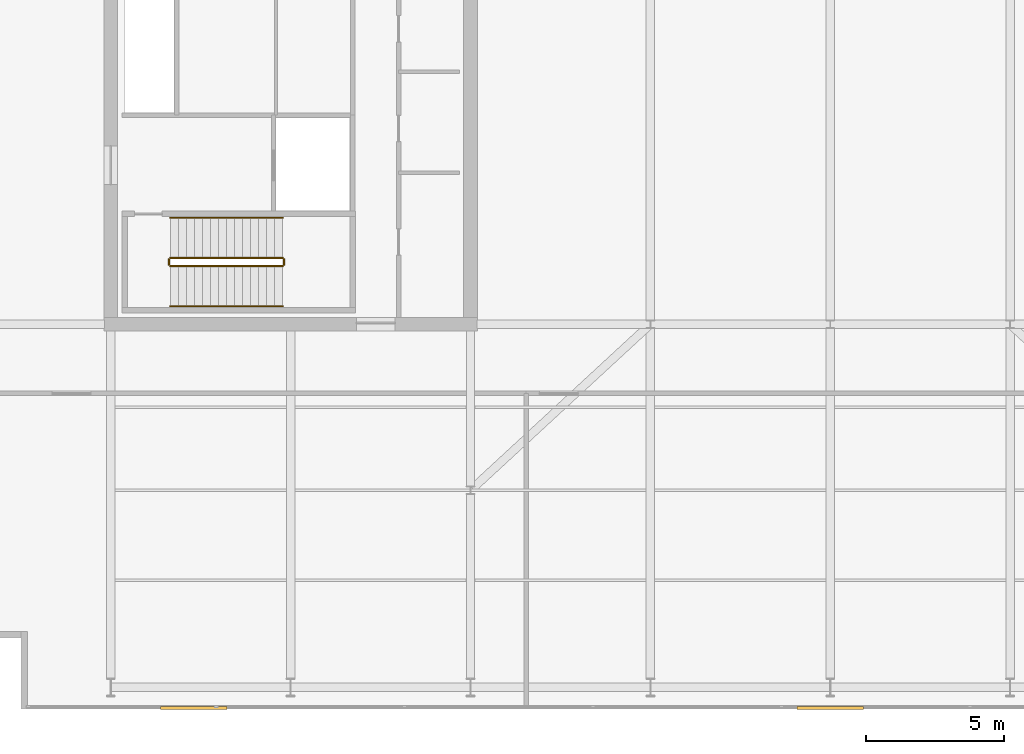
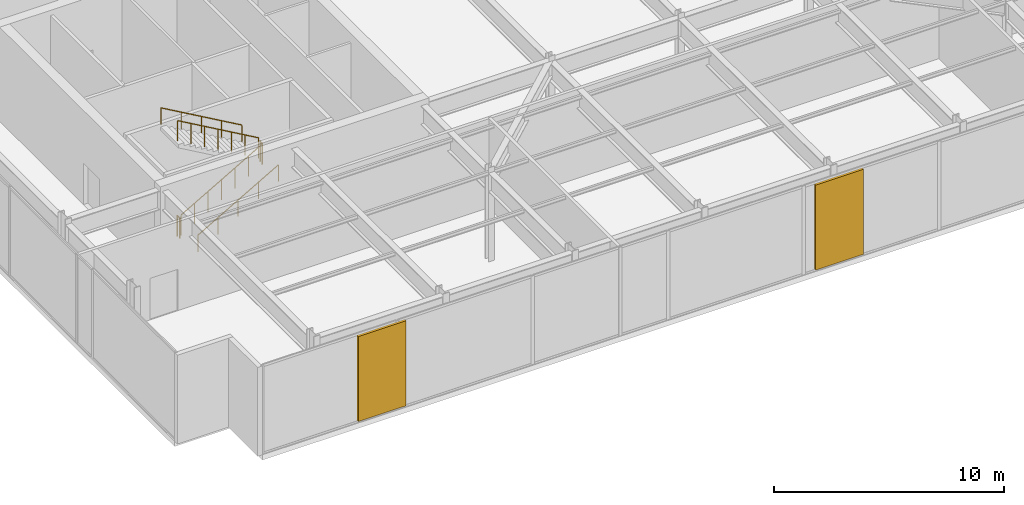
# One storey, part 21 of 23: 6 railings, 2 shading devices.
"""IFC4 building model written with IfcOpenShell, lengths in metres."""

from ifc_helpers import new_model, si_unit, direction, frame, origin, origin_2d, place, context, subcontext, project, spatial, rectangle, circle, extrude, material, layer, layer_set, type_object, element, save


model = new_model("IFC4")

# Units and contexts
model_context = context("Model", 3, precision=1e-05, world=origin(), true_north=direction((0.0, 1.0)))
body_context = subcontext(model_context, "Body", "Model", "MODEL_VIEW")
ifc_project = project(units=[si_unit("LENGTHUNIT", "METRE"), si_unit("AREAUNIT", "SQUARE_METRE"), si_unit("VOLUMEUNIT", "CUBIC_METRE"), si_unit("PLANEANGLEUNIT", "RADIAN"), si_unit("MASSUNIT", "GRAM", prefix="KILO")], contexts=[model_context])

# Site, building, storey
site_placement = place(None, origin())
site = spatial("IfcSite", under=ifc_project, at=site_placement, CompositionType="ELEMENT")
building_placement = place(site_placement, origin())
building = spatial("IfcBuilding", under=site, at=building_placement, Name="Putna Gate Headquarters", CompositionType="ELEMENT")
storey_placement = place(building_placement, frame((0.0, 0.0, 310.39990234375)))
storey = spatial("IfcBuildingStorey", under=building, at=storey_placement, Name="L78", CompositionType="ELEMENT", Elevation=310.39990234375)

# Railings
ifc_material_1 = material(Name="Powder-coated steel stair guardrail", Category="steel")
railing_type_1 = type_object("IfcRailingType", Name="RAIL-STAIR-GUARD-1100", PredefinedType="GUARDRAIL", material=ifc_material_1)
railing_1_placement = place(storey_placement, frame((15.14990234375, 21.10009765625, 0.166748046875)))
element("IfcRailing", 1, at=railing_1_placement, inside=storey, type_object=railing_type_1, Name="L78 ST1 stair guard 1", PredefinedType="GUARDRAIL", context=body_context, shape_type="SweptSolid", body=[
    extrude(circle(Radius=0.02392578125, at=origin_2d()), frame((0.0, 0.0, 1.076171875), z_axis=(0.867024558463, 0.0, 0.498265406207), x_axis=(0.0, 1.0, 0.0)), (0.0, 0.0, 1.0), 4.682861328125),
    extrude(circle(Radius=0.02099609375, at=origin_2d()), origin(), (0.0, 0.0, 1.0), 1.052001953125),
    extrude(circle(Radius=0.02099609375, at=origin_2d()), frame((0.6767578125, 0.0, 0.388916015625)), (0.0, 0.0, 1.0), 1.052001953125),
    extrude(circle(Radius=0.02099609375, at=origin_2d()), frame((1.353271484375, 0.0, 0.77783203125)), (0.0, 0.0, 1.0), 1.052001953125),
    extrude(circle(Radius=0.02099609375, at=origin_2d()), frame((2.030029296875, 0.0, 1.16650390625)), (0.0, 0.0, 1.0), 1.052001953125),
    extrude(circle(Radius=0.02099609375, at=origin_2d()), frame((2.706787109375, 0.0, 1.555419921875)), (0.0, 0.0, 1.0), 1.052001953125),
    extrude(circle(Radius=0.02099609375, at=origin_2d()), frame((3.38330078125, 0.0, 1.9443359375)), (0.0, 0.0, 1.0), 1.052001953125),
    extrude(circle(Radius=0.02099609375, at=origin_2d()), frame((4.06005859375, 0.0, 2.333251953125)), (0.0, 0.0, 1.0), 1.052001953125),
])
railing_2_placement = place(storey_placement, frame((19.260009765625, 21.14990234375, 2.5)))
element("IfcRailing", 2, at=railing_2_placement, inside=storey, type_object=railing_type_1, Name="L78 ST1 stair guard 2", PredefinedType="GUARDRAIL", context=body_context, shape_type="SweptSolid", body=[
    extrude(circle(Radius=0.02392578125, at=origin_2d()), frame((0.0, 0.0, 1.076171875), z_axis=(0.0, 1.0, 0.0), x_axis=(-1.0, 0.0, 0.0)), (0.0, 0.0, 1.0), 0.2001953125),
    extrude(circle(Radius=0.02099609375, at=origin_2d()), origin(), (0.0, 0.0, 1.0), 1.052001953125),
    extrude(circle(Radius=0.02099609375, at=origin_2d()), frame((0.0, 0.2001953125, 0.0)), (0.0, 0.0, 1.0), 1.052001953125),
])
railing_3_placement = place(storey_placement, frame((19.2099609375, 21.39990234375, 2.666748046875)))
element("IfcRailing", 3, at=railing_3_placement, inside=storey, type_object=railing_type_1, Name="L78 ST1 stair guard 3", PredefinedType="GUARDRAIL", context=body_context, shape_type="SweptSolid", body=[
    extrude(circle(Radius=0.02392578125, at=origin_2d()), frame((0.0, 0.0, 1.076171875), z_axis=(-0.867024558463, 0.0, 0.498265406207), x_axis=(0.0, -1.0, 0.0)), (0.0, 0.0, 1.0), 4.682861328125),
    extrude(circle(Radius=0.02099609375, at=origin_2d()), origin(), (0.0, 0.0, 1.0), 1.052001953125),
    extrude(circle(Radius=0.02099609375, at=origin_2d()), frame((-0.6767578125, 0.0, 0.388916015625)), (0.0, 0.0, 1.0), 1.052001953125),
    extrude(circle(Radius=0.02099609375, at=origin_2d()), frame((-1.353271484375, 0.0, 0.77783203125)), (0.0, 0.0, 1.0), 1.052001953125),
    extrude(circle(Radius=0.02099609375, at=origin_2d()), frame((-2.030029296875, 0.0, 1.16650390625)), (0.0, 0.0, 1.0), 1.052001953125),
    extrude(circle(Radius=0.02099609375, at=origin_2d()), frame((-2.706787109375, 0.0, 1.555419921875)), (0.0, 0.0, 1.0), 1.052001953125),
    extrude(circle(Radius=0.02099609375, at=origin_2d()), frame((-3.38330078125, 0.0, 1.9443359375)), (0.0, 0.0, 1.0), 1.052001953125),
    extrude(circle(Radius=0.02099609375, at=origin_2d()), frame((-4.06005859375, 0.0, 2.333251953125)), (0.0, 0.0, 1.0), 1.052001953125),
])
railing_4_placement = place(storey_placement, frame((15.10009765625, 21.14990234375, 0.0)))
element("IfcRailing", 4, at=railing_4_placement, inside=storey, type_object=railing_type_1, Name="L78 ST1 stair guard 4", PredefinedType="GUARDRAIL", context=body_context, shape_type="SweptSolid", body=[
    extrude(circle(Radius=0.02392578125, at=origin_2d()), frame((0.0, 0.0, 1.076171875), z_axis=(0.0, 1.0, 0.0), x_axis=(-1.0, 0.0, 0.0)), (0.0, 0.0, 1.0), 0.2001953125),
    extrude(circle(Radius=0.02099609375, at=origin_2d()), origin(), (0.0, 0.0, 1.0), 1.052001953125),
    extrude(circle(Radius=0.02099609375, at=origin_2d()), frame((0.0, 0.2001953125, 0.0)), (0.0, 0.0, 1.0), 1.052001953125),
])
ifc_material_2 = material(Name="Brushed stainless steel handrail", Category="steel")
railing_type_2 = type_object("IfcRailingType", Name="RAIL-STAIR-HAND-900", PredefinedType="HANDRAIL", material=ifc_material_2)
railing_5_placement = place(storey_placement, frame((15.14990234375, 19.64990234375, 0.166748046875)))
element("IfcRailing", 5, at=railing_5_placement, inside=storey, type_object=railing_type_2, Name="L78 ST1 stair handrail 1", PredefinedType="HANDRAIL", context=body_context, shape_type="SweptSolid", body=[
    extrude(circle(Radius=0.02392578125, at=origin_2d()), frame((0.0, 0.0, 0.8759765625), z_axis=(0.867024558463, 0.0, 0.498265406207), x_axis=(0.0, 1.0, 0.0)), (0.0, 0.0, 1.0), 4.682861328125),
    extrude(circle(Radius=0.02099609375, at=origin_2d()), origin(), (0.0, 0.0, 1.0), 0.851806640625),
    extrude(circle(Radius=0.02099609375, at=origin_2d()), frame((1.01513671875, 0.0, 0.583251953125)), (0.0, 0.0, 1.0), 0.851806640625),
    extrude(circle(Radius=0.02099609375, at=origin_2d()), frame((2.030029296875, 0.0, 1.16650390625)), (0.0, 0.0, 1.0), 0.851806640625),
    extrude(circle(Radius=0.02099609375, at=origin_2d()), frame((3.044921875, 0.0, 1.75)), (0.0, 0.0, 1.0), 0.851806640625),
    extrude(circle(Radius=0.02099609375, at=origin_2d()), frame((4.06005859375, 0.0, 2.333251953125)), (0.0, 0.0, 1.0), 0.851806640625),
])
railing_6_placement = place(storey_placement, frame((19.2099609375, 22.85009765625, 2.666748046875)))
element("IfcRailing", 6, at=railing_6_placement, inside=storey, type_object=railing_type_2, Name="L78 ST1 stair handrail 2", PredefinedType="HANDRAIL", context=body_context, shape_type="SweptSolid", body=[
    extrude(circle(Radius=0.02392578125, at=origin_2d()), frame((0.0, 0.0, 0.8759765625), z_axis=(-0.867024558463, 0.0, 0.498265406207), x_axis=(0.0, -1.0, 0.0)), (0.0, 0.0, 1.0), 4.682861328125),
    extrude(circle(Radius=0.02099609375, at=origin_2d()), origin(), (0.0, 0.0, 1.0), 0.851806640625),
    extrude(circle(Radius=0.02099609375, at=origin_2d()), frame((-1.01513671875, 0.0, 0.583251953125)), (0.0, 0.0, 1.0), 0.851806640625),
    extrude(circle(Radius=0.02099609375, at=origin_2d()), frame((-2.030029296875, 0.0, 1.16650390625)), (0.0, 0.0, 1.0), 0.851806640625),
    extrude(circle(Radius=0.02099609375, at=origin_2d()), frame((-3.044921875, 0.0, 1.75)), (0.0, 0.0, 1.0), 0.851806640625),
    extrude(circle(Radius=0.02099609375, at=origin_2d()), frame((-4.06005859375, 0.0, 2.333251953125)), (0.0, 0.0, 1.0), 0.851806640625),
])

# Shading devices
ifc_material_3 = material(Name="Anodised bronze acoustic weather louvre", Category="aluminium")
ifc_layer = layer(ifc_material_3, 0.1201171875)
ifc_layer_set = layer_set([ifc_layer], Name="Anodised bronze acoustic weather louvre")
shading_device_type = type_object("IfcShadingDeviceType", Name="SHADE-PLANT-LOUVRE", PredefinedType="JALOUSIE", material=ifc_layer_set)
for number, where, z_axis, x_axis, name in (
    (7, (16.0, 5.1298828125, 0.10009765625), (0.0, 0.0, 1.0), (1.0, 0.0, 0.0), "L78 Bronze Acoustic Louvre S1"),
    (8, (39.0, 5.1298828125, 0.10009765625), (0.0, 0.0, 1.0), (1.0, 0.0, 0.0), "L78 Bronze Acoustic Louvre S2"),
):
    element("IfcShadingDevice", number, at=place(storey_placement, frame(where, z_axis=z_axis, x_axis=x_axis)), inside=storey, type_object=shading_device_type, Name=name, PredefinedType="JALOUSIE", context=body_context, shape_type="SweptSolid", body=[
        extrude(rectangle(XDim=2.39990234375, YDim=0.1201171875, at=origin_2d()), origin(), (0.0, 0.0, 1.0), 4.52001953125),
    ])

save(model, "model.ifc")
